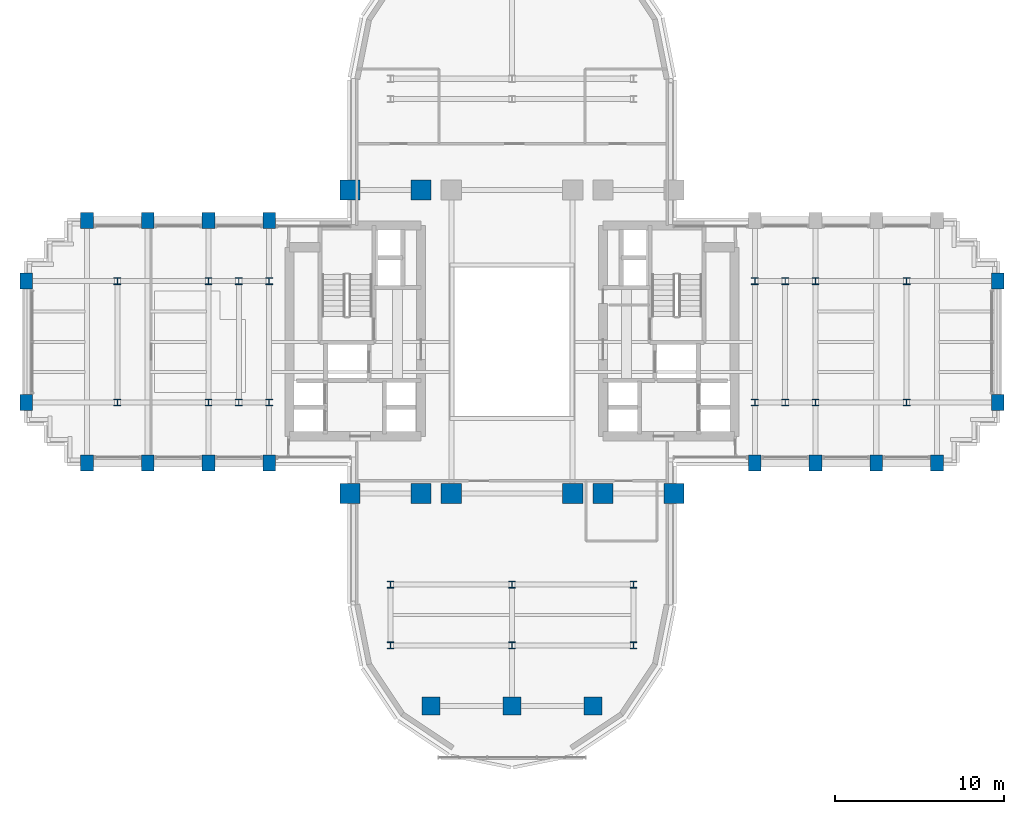
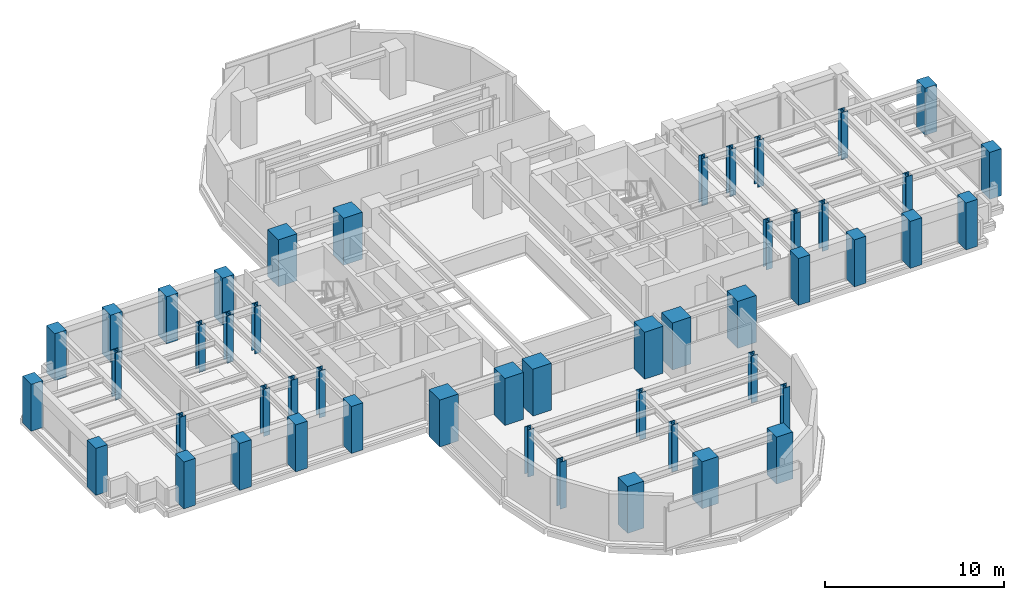
# One storey, part 1 of 16: 49 columns.
"""IFC4 building model written with IfcOpenShell, lengths in metres."""

from ifc_helpers import new_model, si_unit, direction, frame, origin, origin_2d, place, context, subcontext, project, spatial, rectangle, i_section, extrude, source, transform, mapped, material, material_profile, profile_set, type_object, element, save


model = new_model("IFC4")

# Units and contexts
model_context = context("Model", 3, precision=1e-05, world=origin(), true_north=direction((0.0, 1.0)))
body_context = subcontext(model_context, "Body", "Model", "MODEL_VIEW")
ifc_project = project(units=[si_unit("LENGTHUNIT", "METRE"), si_unit("AREAUNIT", "SQUARE_METRE"), si_unit("VOLUMEUNIT", "CUBIC_METRE"), si_unit("PLANEANGLEUNIT", "RADIAN"), si_unit("MASSUNIT", "GRAM", prefix="KILO")], contexts=[model_context])

# Site, building, storey
site_placement = place(None, origin())
site = spatial("IfcSite", under=ifc_project, at=site_placement, CompositionType="ELEMENT")
building_placement = place(site_placement, origin())
building = spatial("IfcBuilding", under=site, at=building_placement, Name="Keilestroom Media Tower", CompositionType="ELEMENT")
storey_placement = place(building_placement, frame((0.0, 0.0, 61.199951171875)))
storey = spatial("IfcBuildingStorey", under=building, at=storey_placement, Name="L15", CompositionType="ELEMENT", Elevation=61.199951171875)

# Columns
ifc_material_1 = material(Name="Precast concrete C40/50", Category="concrete")
ifc_material_profile_1 = material_profile(ifc_material_1, rectangle(XDim=0.75, YDim=0.949951171875, at=origin_2d()), Name="PC 950x750")
ifc_profile_set_1 = profile_set([ifc_material_profile_1], Name="Precast concrete C40/50")
column_type_1 = type_object("IfcColumnType", Name="Structural-Column-PC-950x750", PredefinedType="COLUMN", material=ifc_profile_set_1)
shared_shape_1 = source(origin(), body_context, "Body", "SweptSolid", [
    extrude(rectangle(XDim=0.75, YDim=0.949951171875, at=origin_2d()), origin(), (0.0, 0.0, 1.0), 3.199951171875),
])
for number, where, z_axis, x_axis, name in (
    (1, (-28.800048828125, -3.60009765625, 0.0), (0.0, 0.0, 1.0), (1.0, 0.0, 0.0), "L15 Column PC-1 (-28.8,-3.6)"),
    (2, (-28.800048828125, 3.60009765625, 0.0), (0.0, 0.0, 1.0), (1.0, 0.0, 0.0), "L15 Column PC-1 (-28.8,+3.6)"),
    (3, (-25.199951171875, -7.199951171875, 0.0), (0.0, 0.0, 1.0), (1.0, 0.0, 0.0), "L15 Column PC-1 (-25.2,-7.2)"),
    (4, (-25.199951171875, 7.199951171875, 0.0), (0.0, 0.0, 1.0), (1.0, 0.0, 0.0), "L15 Column PC-1 (-25.2,+7.2)"),
    (5, (-21.60009765625, -7.199951171875, 0.0), (0.0, 0.0, 1.0), (1.0, 0.0, 0.0), "L15 Column PC-1 (-21.6,-7.2)"),
    (6, (-21.60009765625, 7.199951171875, 0.0), (0.0, 0.0, 1.0), (1.0, 0.0, 0.0), "L15 Column PC-1 (-21.6,+7.2)"),
    (7, (-18.0, -7.199951171875, 0.0), (0.0, 0.0, 1.0), (1.0, 0.0, 0.0), "L15 Column PC-1 (-18.0,-7.2)"),
    (8, (-18.0, 7.199951171875, 0.0), (0.0, 0.0, 1.0), (1.0, 0.0, 0.0), "L15 Column PC-1 (-18.0,+7.2)"),
    (9, (-14.39990234375, -7.199951171875, 0.0), (0.0, 0.0, 1.0), (1.0, 0.0, 0.0), "L15 Column PC-1 (-14.4,-7.2)"),
    (10, (-14.39990234375, 7.199951171875, 0.0), (0.0, 0.0, 1.0), (1.0, 0.0, 0.0), "L15 Column PC-1 (-14.4,+7.2)"),
    (11, (14.39990234375, -7.199951171875, 0.0), (0.0, 0.0, 1.0), (1.0, 0.0, 0.0), "L15 Column PC-1 (+14.4,-7.2)"),
    (12, (18.0, -7.199951171875, 0.0), (0.0, 0.0, 1.0), (1.0, 0.0, 0.0), "L15 Column PC-1 (+18.0,-7.2)"),
    (13, (21.60009765625, -7.199951171875, 0.0), (0.0, 0.0, 1.0), (1.0, 0.0, 0.0), "L15 Column PC-1 (+21.6,-7.2)"),
    (14, (25.199951171875, -7.199951171875, 0.0), (0.0, 0.0, 1.0), (1.0, 0.0, 0.0), "L15 Column PC-1 (+25.2,-7.2)"),
    (15, (28.800048828125, -3.60009765625, 0.0), (0.0, 0.0, 1.0), (1.0, 0.0, 0.0), "L15 Column PC-1 (+28.8,-3.6)"),
    (16, (28.800048828125, 3.60009765625, 0.0), (0.0, 0.0, 1.0), (1.0, 0.0, 0.0), "L15 Column PC-1 (+28.8,+3.6)"),
):
    element("IfcColumn", number, at=place(storey_placement, frame(where, z_axis=z_axis, x_axis=x_axis)), inside=storey, type_object=column_type_1, Name=name, PredefinedType="COLUMN", context=body_context, shape_type="MappedRepresentation", body=[
        mapped(shared_shape_1, transform((0.0, 0.0, 0.0), x_axis=(1.0, 0.0, 0.0), y_axis=(0.0, 1.0, 0.0), z_axis=(0.0, 0.0, 1.0), scale=1.0)),
    ])
ifc_material_2 = material(Name="Steel S460", Category="steel")
ifc_material_profile_2 = material_profile(ifc_material_2, i_section(OverallWidth=0.404052734375, OverallDepth=0.406982421875, WebThickness=0.02197265625, FlangeThickness=0.035400390625, at=origin_2d()), Name="HD 400x347")
ifc_profile_set_2 = profile_set([ifc_material_profile_2], Name="Steel S460")
column_type_2 = type_object("IfcColumnType", Name="Structural-Column-HD-400x347", PredefinedType="COLUMN", material=ifc_profile_set_2)
shared_shape_2 = source(origin(), body_context, "Body", "SweptSolid", [
    extrude(i_section(OverallWidth=0.404052734375, OverallDepth=0.406982421875, WebThickness=0.02197265625, FlangeThickness=0.035400390625, at=origin_2d()), origin(), (0.0, 0.0, 1.0), 3.199951171875),
])
for number, where, z_axis, x_axis, name in (
    (17, (-23.39990234375, -3.60009765625, 0.0), (0.0, 0.0, 1.0), (1.0, 0.0, 0.0), "L15 Column SC-2 (-23.4,-3.6)"),
    (18, (-23.39990234375, 3.60009765625, 0.0), (0.0, 0.0, 1.0), (1.0, 0.0, 0.0), "L15 Column SC-2 (-23.4,+3.6)"),
    (19, (-18.0, -3.60009765625, 0.0), (0.0, 0.0, 1.0), (1.0, 0.0, 0.0), "L15 Column SC-2 (-18.0,-3.6)"),
    (20, (-18.0, 3.60009765625, 0.0), (0.0, 0.0, 1.0), (1.0, 0.0, 0.0), "L15 Column SC-2 (-18.0,+3.6)"),
    (21, (-16.199951171875, -3.60009765625, 0.0), (0.0, 0.0, 1.0), (1.0, 0.0, 0.0), "L15 Column SC-2 (-16.2,-3.6)"),
    (22, (-16.199951171875, 3.60009765625, 0.0), (0.0, 0.0, 1.0), (1.0, 0.0, 0.0), "L15 Column SC-2 (-16.2,+3.6)"),
    (23, (-14.39990234375, -3.60009765625, 0.0), (0.0, 0.0, 1.0), (1.0, 0.0, 0.0), "L15 Column SC-2 (-14.4,-3.6)"),
    (24, (-14.39990234375, 3.60009765625, 0.0), (0.0, 0.0, 1.0), (1.0, 0.0, 0.0), "L15 Column SC-2 (-14.4,+3.6)"),
    (25, (-7.199951171875, -18.0, 0.0), (0.0, 0.0, 1.0), (1.0, 0.0, 0.0), "L15 Column SC-2 (-7.2,-18.0)"),
    (26, (-7.199951171875, -14.39990234375, 0.0), (0.0, 0.0, 1.0), (1.0, 0.0, 0.0), "L15 Column SC-2 (-7.2,-14.4)"),
    (27, (0.0, -18.0, 0.0), (0.0, 0.0, 1.0), (1.0, 0.0, 0.0), "L15 Column SC-2 (+0.0,-18.0)"),
    (28, (0.0, -14.39990234375, 0.0), (0.0, 0.0, 1.0), (1.0, 0.0, 0.0), "L15 Column SC-2 (+0.0,-14.4)"),
    (29, (7.199951171875, -18.0, 0.0), (0.0, 0.0, 1.0), (1.0, 0.0, 0.0), "L15 Column SC-2 (+7.2,-18.0)"),
    (30, (7.199951171875, -14.39990234375, 0.0), (0.0, 0.0, 1.0), (1.0, 0.0, 0.0), "L15 Column SC-2 (+7.2,-14.4)"),
    (31, (14.39990234375, -3.60009765625, 0.0), (0.0, 0.0, 1.0), (1.0, 0.0, 0.0), "L15 Column SC-2 (+14.4,-3.6)"),
    (32, (14.39990234375, 3.60009765625, 0.0), (0.0, 0.0, 1.0), (1.0, 0.0, 0.0), "L15 Column SC-2 (+14.4,+3.6)"),
    (33, (16.199951171875, -3.60009765625, 0.0), (0.0, 0.0, 1.0), (1.0, 0.0, 0.0), "L15 Column SC-2 (+16.2,-3.6)"),
    (34, (16.199951171875, 3.60009765625, 0.0), (0.0, 0.0, 1.0), (1.0, 0.0, 0.0), "L15 Column SC-2 (+16.2,+3.6)"),
    (35, (18.0, -3.60009765625, 0.0), (0.0, 0.0, 1.0), (1.0, 0.0, 0.0), "L15 Column SC-2 (+18.0,-3.6)"),
    (36, (18.0, 3.60009765625, 0.0), (0.0, 0.0, 1.0), (1.0, 0.0, 0.0), "L15 Column SC-2 (+18.0,+3.6)"),
    (37, (23.39990234375, -3.60009765625, 0.0), (0.0, 0.0, 1.0), (1.0, 0.0, 0.0), "L15 Column SC-2 (+23.4,-3.6)"),
    (38, (23.39990234375, 3.60009765625, 0.0), (0.0, 0.0, 1.0), (1.0, 0.0, 0.0), "L15 Column SC-2 (+23.4,+3.6)"),
):
    element("IfcColumn", number, at=place(storey_placement, frame(where, z_axis=z_axis, x_axis=x_axis)), inside=storey, type_object=column_type_2, Name=name, PredefinedType="COLUMN", context=body_context, shape_type="MappedRepresentation", body=[
        mapped(shared_shape_2, transform((0.0, 0.0, 0.0), x_axis=(1.0, 0.0, 0.0), y_axis=(0.0, 1.0, 0.0), z_axis=(0.0, 0.0, 1.0), scale=1.0)),
    ])
ifc_material_3 = material(Name="Concrete C70/85", Category="concrete")
ifc_material_profile_3 = material_profile(ifc_material_3, rectangle(XDim=1.199951171875, YDim=1.199951171875, at=origin_2d()), Name="RC 1200x1200")
ifc_profile_set_3 = profile_set([ifc_material_profile_3], Name="Concrete C70/85")
column_type_3 = type_object("IfcColumnType", Name="Structural-Column-RC-1200x1200", PredefinedType="COLUMN", material=ifc_profile_set_3)
shared_shape_3 = source(origin(), body_context, "Body", "SweptSolid", [
    extrude(rectangle(XDim=1.199951171875, YDim=1.199951171875, at=origin_2d()), origin(), (0.0, 0.0, 1.0), 3.199951171875),
])
for number, where, z_axis, x_axis, name in (
    (39, (-9.60009765625, -9.0, 0.0), (0.0, 0.0, 1.0), (1.0, 0.0, 0.0), "L15 Column MC-2 (-9.6,-9.0)"),
    (40, (-9.60009765625, 9.0, 0.0), (0.0, 0.0, 1.0), (1.0, 0.0, 0.0), "L15 Column MC-2 (-9.6,+9.0)"),
    (41, (-5.39990234375, -9.0, 0.0), (0.0, 0.0, 1.0), (1.0, 0.0, 0.0), "L15 Column MC-2 (-5.4,-9.0)"),
    (42, (-5.39990234375, 9.0, 0.0), (0.0, 0.0, 1.0), (1.0, 0.0, 0.0), "L15 Column MC-2 (-5.4,+9.0)"),
    (43, (-3.60009765625, -9.0, 0.0), (0.0, 0.0, 1.0), (1.0, 0.0, 0.0), "L15 Column MC-2 (-3.6,-9.0)"),
    (44, (3.60009765625, -9.0, 0.0), (0.0, 0.0, 1.0), (1.0, 0.0, 0.0), "L15 Column MC-2 (+3.6,-9.0)"),
    (45, (5.39990234375, -9.0, 0.0), (0.0, 0.0, 1.0), (1.0, 0.0, 0.0), "L15 Column MC-2 (+5.4,-9.0)"),
    (46, (9.60009765625, -9.0, 0.0), (0.0, 0.0, 1.0), (1.0, 0.0, 0.0), "L15 Column MC-2 (+9.6,-9.0)"),
):
    element("IfcColumn", number, at=place(storey_placement, frame(where, z_axis=z_axis, x_axis=x_axis)), inside=storey, type_object=column_type_3, Name=name, PredefinedType="COLUMN", context=body_context, shape_type="MappedRepresentation", body=[
        mapped(shared_shape_3, transform((0.0, 0.0, 0.0), x_axis=(1.0, 0.0, 0.0), y_axis=(0.0, 1.0, 0.0), z_axis=(0.0, 0.0, 1.0), scale=1.0)),
    ])
ifc_material_4 = material(Name="Concrete C55/67", Category="concrete")
ifc_material_profile_4 = material_profile(ifc_material_4, rectangle(XDim=1.050048828125, YDim=1.050048828125, at=origin_2d()), Name="RC 1050x1050")
ifc_profile_set_4 = profile_set([ifc_material_profile_4], Name="Concrete C55/67")
column_type_4 = type_object("IfcColumnType", Name="Structural-Column-RC-1050x1050", PredefinedType="COLUMN", material=ifc_profile_set_4)
shared_shape_4 = source(origin(), body_context, "Body", "SweptSolid", [
    extrude(rectangle(XDim=1.050048828125, YDim=1.050048828125, at=origin_2d()), origin(), (0.0, 0.0, 1.0), 3.199951171875),
])
for number, where, z_axis, x_axis, name in (
    (47, (-4.800048828125, -21.60009765625, 0.0), (0.0, 0.0, 1.0), (1.0, 0.0, 0.0), "L15 Column MC-3 (-4.8,-21.6)"),
    (48, (0.0, -21.60009765625, 0.0), (0.0, 0.0, 1.0), (1.0, 0.0, 0.0), "L15 Column MC-3 (+0.0,-21.6)"),
    (49, (4.800048828125, -21.60009765625, 0.0), (0.0, 0.0, 1.0), (1.0, 0.0, 0.0), "L15 Column MC-3 (+4.8,-21.6)"),
):
    element("IfcColumn", number, at=place(storey_placement, frame(where, z_axis=z_axis, x_axis=x_axis)), inside=storey, type_object=column_type_4, Name=name, PredefinedType="COLUMN", context=body_context, shape_type="MappedRepresentation", body=[
        mapped(shared_shape_4, transform((0.0, 0.0, 0.0), x_axis=(1.0, 0.0, 0.0), y_axis=(0.0, 1.0, 0.0), z_axis=(0.0, 0.0, 1.0), scale=1.0)),
    ])

save(model, "model.ifc")
